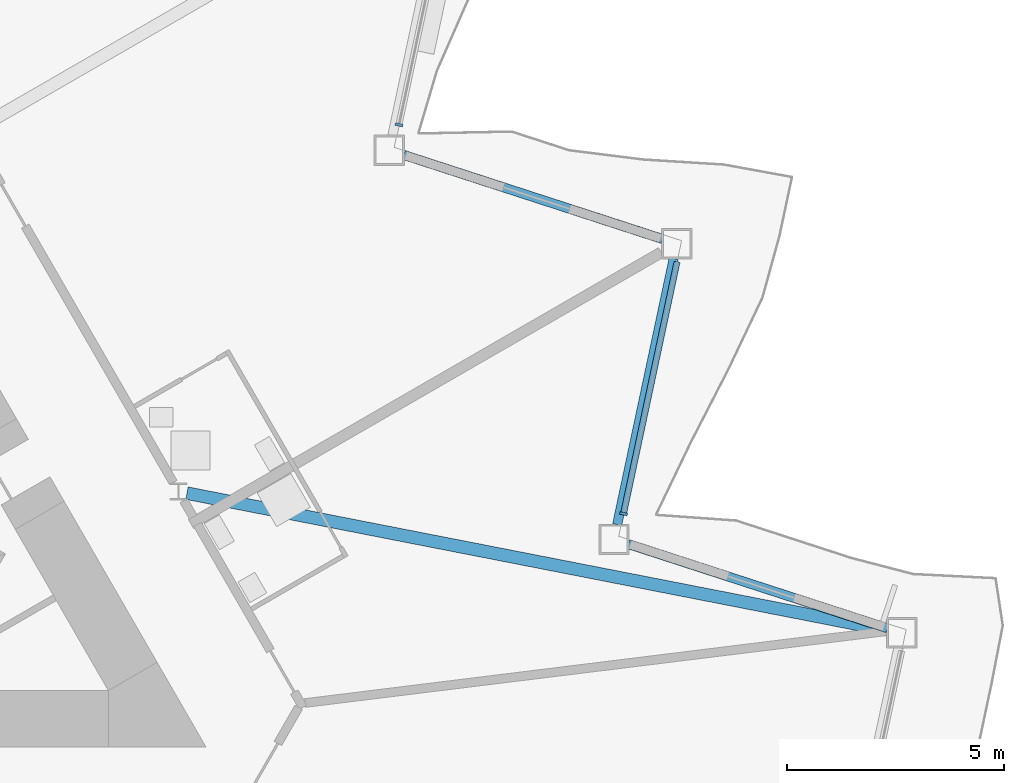
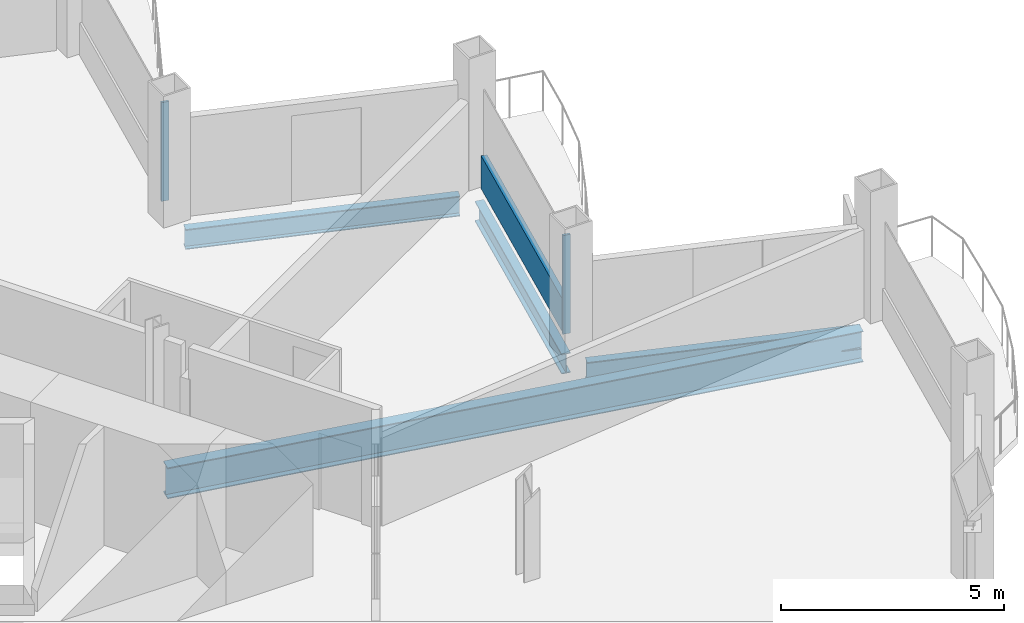
# One storey, part 7 of 24: 4 beams, 3 members, 2 elements without a shape of their own.
"""IFC4 building model written with IfcOpenShell, lengths in metres."""

from ifc_helpers import new_model, si_unit, direction, frame, origin, origin_2d, place, context, subcontext, project, spatial, rectangle, i_section, extrude, material, layer, layer_set, material_profile, profile_set, type_object, element, aggregate, save


model = new_model("IFC4")

# Units and contexts
model_context = context("Model", 3, precision=1e-05, world=origin(), true_north=direction((0.0, 1.0)))
body_context = subcontext(model_context, "Body", "Model", "MODEL_VIEW")
ifc_project = project(units=[si_unit("LENGTHUNIT", "METRE"), si_unit("AREAUNIT", "SQUARE_METRE"), si_unit("VOLUMEUNIT", "CUBIC_METRE"), si_unit("PLANEANGLEUNIT", "RADIAN"), si_unit("MASSUNIT", "GRAM", prefix="KILO")], contexts=[model_context])

# Site, building, storey
site_placement = place(None, origin())
site = spatial("IfcSite", under=ifc_project, at=site_placement, CompositionType="ELEMENT")
building_placement = place(site_placement, origin())
building = spatial("IfcBuilding", under=site, at=building_placement, Name="Cormorant Prow Tower", CompositionType="ELEMENT")
storey_placement = place(building_placement, frame((0.0, 0.0, 270.60009765625)))
storey = spatial("IfcBuildingStorey", under=building, at=storey_placement, Name="L61", CompositionType="ELEMENT", Elevation=270.60009765625)

# Curtain wall, member
ifc_material_1 = material(Name="Aluminium 6063-T6", Category="aluminium")
ifc_layer = layer(ifc_material_1, 0.179931640625)
ifc_layer_set = layer_set([ifc_layer], Name="Aluminium 6063-T6")
curtain_wall_type = type_object("IfcCurtainWallType", Name="Hotel unitised curtain wall 180", PredefinedType="NOTDEFINED", material=ifc_layer_set)
curtain_wall_1_placement = place(storey_placement, origin())
curtain_wall_1 = element("IfcCurtainWall", 1, at=curtain_wall_1_placement, inside=storey, type_object=curtain_wall_type, Name="Hotel curtain wall ENE02", PredefinedType="NOTDEFINED")
ifc_material_2 = material(Name="Aluminium 6063-T6", Category="aluminium")
ifc_material_profile_1 = material_profile(ifc_material_2, rectangle(XDim=0.179931640625, YDim=0.06005859375, at=origin_2d()), Name="Hotel mullion 60x180")
ifc_profile_set_1 = profile_set([ifc_material_profile_1], Name="Aluminium 6063-T6")
member_type_1 = type_object("IfcMemberType", Name="Hotel mullion 60x180", PredefinedType="MULLION", material=ifc_profile_set_1)
member_1_placement = place(storey_placement, frame((24.642822265625, -3.27880859375, 0.0), z_axis=(0.0, 0.0, 1.0), x_axis=(-0.978147597562, 0.207911705739, 0.0)))
member_1 = element("IfcMember", 2, at=member_1_placement, type_object=member_type_1, Name="Hotel mullion ENE02", PredefinedType="MULLION", context=body_context, shape_type="SweptSolid", body=[
    extrude(rectangle(XDim=0.179931640625, YDim=0.06005859375, at=origin_2d()), origin(), (0.0, 0.0, 1.0), 2.70068359375),
])

curtain_wall_2_placement = place(storey_placement, origin())
curtain_wall_2 = element("IfcCurtainWall", 3, at=curtain_wall_2_placement, inside=storey, type_object=curtain_wall_type, Name="Hotel curtain wall ENE04", PredefinedType="NOTDEFINED")
member_2_placement = place(storey_placement, frame((19.45751953125, 5.7021484375, 0.0), z_axis=(0.0, 0.0, 1.0), x_axis=(-0.978147597562, 0.207911705739, 0.0)))
member_2 = element("IfcMember", 4, at=member_2_placement, type_object=member_type_1, Name="Hotel mullion ENE04", PredefinedType="MULLION", context=body_context, shape_type="SweptSolid", body=[
    extrude(rectangle(XDim=0.179931640625, YDim=0.06005859375, at=origin_2d()), origin(), (0.0, 0.0, 1.0), 2.70068359375),
])
aggregate(curtain_wall_2, [member_2])

# Member
ifc_material_3 = material(Name="Terracotta", Category="masonry")
ifc_material_profile_2 = material_profile(ifc_material_3, rectangle(XDim=0.139892578125, YDim=0.89990234375, at=origin_2d()), Name="Hotel terracotta spandrel rail 140x900")
ifc_profile_set_2 = profile_set([ifc_material_profile_2], Name="Terracotta")
member_type_2 = type_object("IfcMemberType", Name="Hotel terracotta spandrel rail 140x900", PredefinedType="USERDEFINED", material=ifc_profile_set_2)
member_3_placement = place(storey_placement, frame((24.64892578125, -3.24951171875, 0.449951171875), z_axis=(0.2079278606, 0.978144163601, 0.0), x_axis=(-0.978144163601, 0.2079278606, 0.0)))
member_3 = element("IfcMember", 5, at=member_3_placement, type_object=member_type_2, Name="Hotel spandrel rail ENE02", ObjectType="TRANSOM", PredefinedType="USERDEFINED", context=body_context, shape_type="SweptSolid", body=[
    extrude(rectangle(XDim=0.139892578125, YDim=0.89990234375, at=origin_2d()), origin(), (0.0, 0.0, 1.0), 5.91552734375),
])

aggregate(curtain_wall_1, [member_1, member_3])

# Beams
ifc_material_4 = material(Name="Structural steel ASTM A992 Gr 50", Category="steel")
ifc_material_profile_3 = material_profile(ifc_material_4, i_section(OverallWidth=0.29296875, OverallDepth=0.845703125, WebThickness=0.015380859375, FlangeThickness=0.0244140625, at=origin_2d()), Name="W33x141")
ifc_profile_set_3 = profile_set([ifc_material_profile_3], Name="Structural steel ASTM A992 Gr 50")
beam_type_1 = type_object("IfcBeamType", Name="Radial floor beam W33x141", PredefinedType="BEAM", material=ifc_profile_set_3)
beam_placement = place(storey_placement, frame((14.5634765625, -2.80322265625, -0.77294921875), z_axis=(0.981419133752, -0.191876220269, 0.0), x_axis=(0.191876220269, 0.981419133752, 0.0)))
element("IfcBeam", 6, at=beam_placement, inside=storey, type_object=beam_type_1, Name="Radial floor beam FB2 10 L61", PredefinedType="BEAM", context=body_context, shape_type="SweptSolid", body=[
    extrude(i_section(OverallWidth=0.29296875, OverallDepth=0.845703125, WebThickness=0.015380859375, FlangeThickness=0.0244140625, at=origin_2d()), origin(), (0.0, 0.0, 1.0), 16.462158203125),
])
ifc_material_5 = material(Name="Structural steel ASTM A992 Gr 50", Category="steel")
ifc_material_profile_4 = material_profile(ifc_material_5, i_section(OverallWidth=0.2138671875, OverallDepth=0.549072265625, WebThickness=0.0146484375, FlangeThickness=0.023681640625, at=origin_2d()), Name="W21x93")
ifc_profile_set_4 = profile_set([ifc_material_profile_4], Name="Structural steel ASTM A992 Gr 50")
beam_type_2 = type_object("IfcBeamType", Name="Spandrel beam W21x93", PredefinedType="SPANDREL", material=ifc_profile_set_4)
for number, where, z_axis, x_axis, name in (
    (7, (30.730224609375, -5.9208984375, -0.624755859375), (-0.951061771288, 0.309000820701, 0.0), (-0.309000820701, -0.951061771288, 0.0), "Spandrel beam SB2 ENE01-ENE02 L61"),
    (8, (24.49609375, -3.529296875, -0.624755859375), (0.207941499013, 0.978141264331, 0.0), (-0.978141264331, 0.207941499013, 0.0), "Spandrel beam SB2 ENE02-ENE03 L61"),
    (9, (25.5419921875, 3.0654296875, -0.624755859375), (-0.951061771288, 0.309000820701, 0.0), (-0.309000820701, -0.951061771288, 0.0), "Spandrel beam SB2 ENE03-ENE04 L61"),
):
    element("IfcBeam", number, at=place(storey_placement, frame(where, z_axis=z_axis, x_axis=x_axis)), inside=storey, type_object=beam_type_2, Name=name, PredefinedType="SPANDREL", context=body_context, shape_type="SweptSolid", body=[
        extrude(i_section(OverallWidth=0.2138671875, OverallDepth=0.549072265625, WebThickness=0.0146484375, FlangeThickness=0.023681640625, at=origin_2d()), origin(), (0.0, 0.0, 1.0), 6.28125),
    ])

save(model, "model.ifc")
